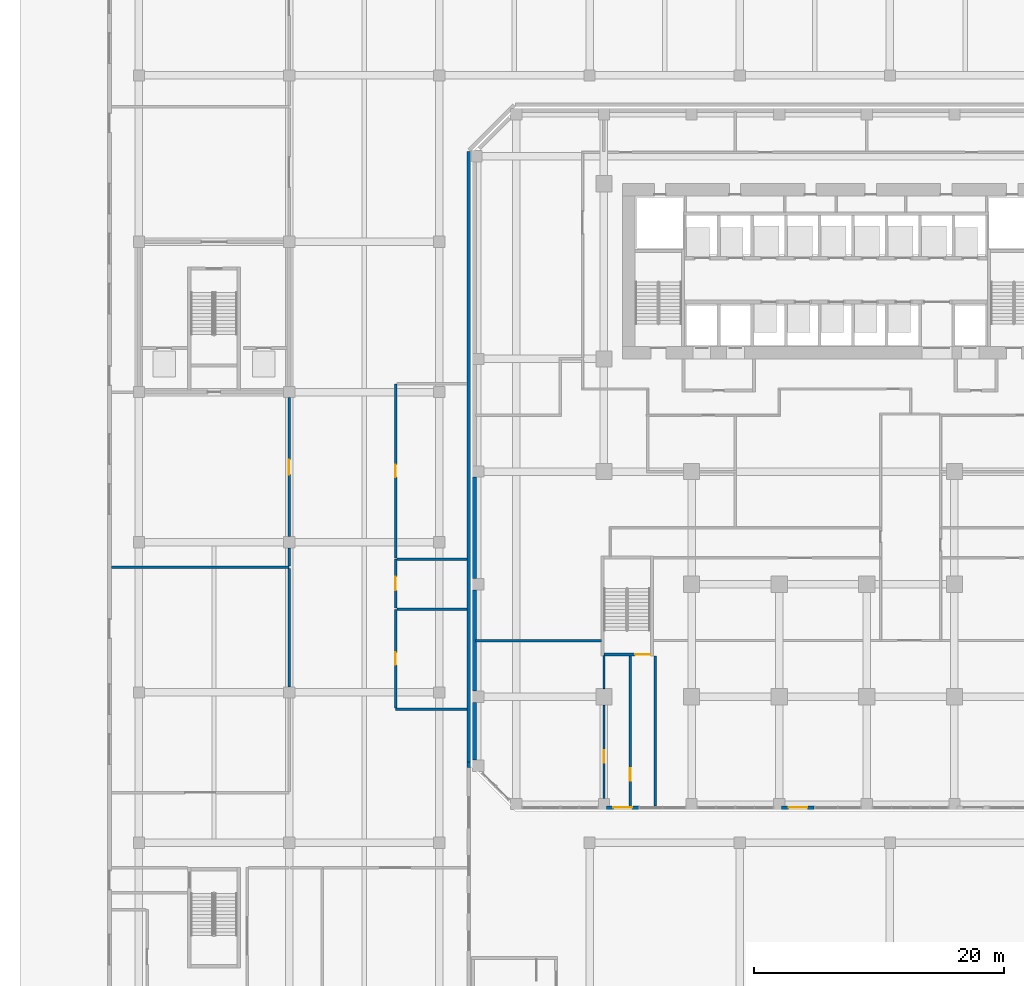
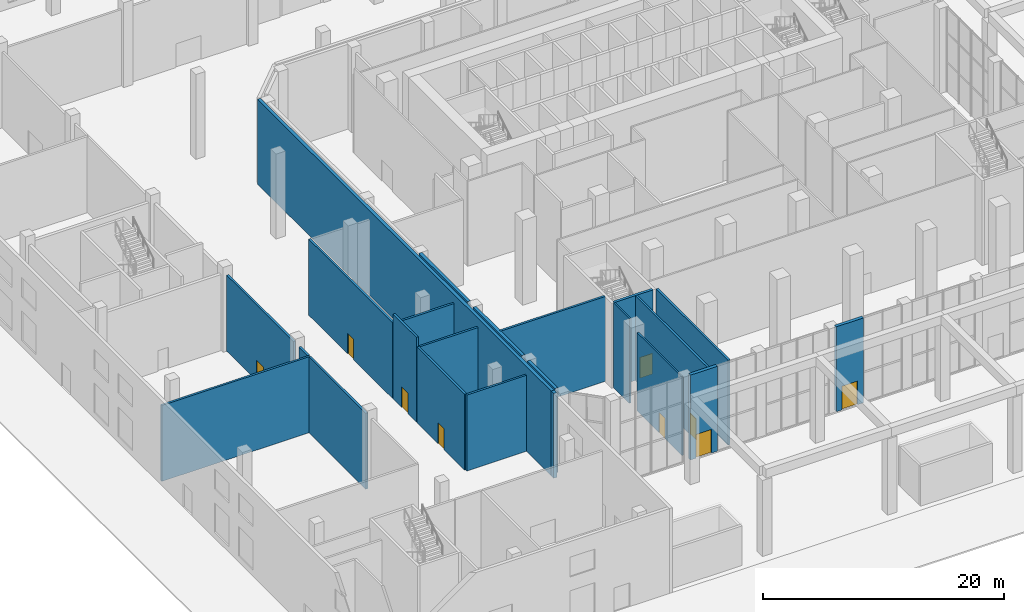
# One storey, part 19 of 43: 23 walls, 9 doors, 9 openings.
"""IFC4 building model written with IfcOpenShell, lengths in metres."""

from ifc_helpers import new_model, si_unit, direction, frame, frame_2d, origin, place, context, subcontext, project, spatial, rectangle, extrude, source, transform, mapped, material, layer, layer_set, type_object, element, fill, save


model = new_model("IFC4")

# Units and contexts
model_context = context("Model", 3, precision=1e-05, world=origin(), true_north=direction((0.0, 1.0)))
body_context = subcontext(model_context, "Body", "Model", "MODEL_VIEW")
ifc_project = project(units=[si_unit("LENGTHUNIT", "METRE"), si_unit("AREAUNIT", "SQUARE_METRE"), si_unit("VOLUMEUNIT", "CUBIC_METRE"), si_unit("PLANEANGLEUNIT", "RADIAN"), si_unit("MASSUNIT", "GRAM", prefix="KILO")], contexts=[model_context])

# Site, building, storey
site_placement = place(None, origin())
site = spatial("IfcSite", under=ifc_project, at=site_placement, CompositionType="ELEMENT")
building_placement = place(site_placement, origin())
building = spatial("IfcBuilding", under=site, at=building_placement, Name="Kilnfold Tower and Market Hall", CompositionType="ELEMENT")
storey_placement = place(building_placement, origin())
storey = spatial("IfcBuildingStorey", under=building, at=storey_placement, Name="L00", CompositionType="ELEMENT", Elevation=0.0)

# Wall, opening, door
ifc_material_1 = material(Name="Gypsum board on steel studs", Category="steel")
ifc_layer_1 = layer(ifc_material_1, 0.14990234375)
ifc_layer_set_1 = layer_set([ifc_layer_1], Name="Gypsum board on steel studs")
wall_type_1 = type_object("IfcWallType", Name="WALL CORRIDOR 150", PredefinedType="PARTITIONING", material=ifc_layer_set_1)
wall_1_placement = place(storey_placement, frame((-17.5, -27.10009765625, 0.0), z_axis=(0.0, 0.0, 1.0), x_axis=(0.0, 1.0, 0.0)))
wall_1 = element("IfcWall", 1, at=wall_1_placement, inside=storey, type_object=wall_type_1, Name="Partition LY01.3", PredefinedType="PARTITIONING", context=body_context, shape_type="SweptSolid", body=[
    extrude(rectangle(XDim=7.4501953125, YDim=0.14990234375, at=frame_2d((3.72509765625, 0.0))), origin(), (0.0, 0.0, 1.0), 7.949951171875),
])
opening_1_placement = place(wall_1_placement, frame((2.822021484375, 0.0, 0.0)))
opening_1 = element("IfcOpeningElement", 2, at=opening_1_placement, cuts=wall_1, Name="Opening D4", PredefinedType="OPENING", context=body_context, shape_type="SweptSolid", body=[
    extrude(rectangle(XDim=1.0, YDim=2.10009765625, at=frame_2d((0.5, 1.050048828125))), frame((0.0, 0.0849609375, 0.0), z_axis=(0.0, -1.0, 0.0), x_axis=(1.0, 0.0, 0.0)), (0.0, 0.0, 1.0), 0.169921875),
])
ifc_material_2 = material(Name="Timber veneer door leaf in steel frame", Category="steel")
door_type_1 = type_object("IfcDoorType", Name="DOOR SERVICE 1000 X2100", OperationType="NOTDEFINED", PredefinedType="DOOR", material=ifc_material_2)
door_1_placement = place(opening_1_placement, origin())
door_1 = element("IfcDoor", 3, at=door_1_placement, inside=storey, type_object=door_type_1, Name="Door D4", OperationType="SINGLE_SWING_LEFT", OverallHeight=2.10009765625, OverallWidth=1.0, PredefinedType="DOOR", context=body_context, shape_type="SweptSolid", body=[
    extrude(rectangle(XDim=1.0, YDim=2.10009765625, at=frame_2d((0.5, 1.050048828125))), frame((0.0, 0.02490234375, 0.0), z_axis=(0.0, -1.0, 0.0), x_axis=(1.0, 0.0, 0.0)), (0.0, 0.0, 1.0), 0.050048828125),
])
fill(opening_1, door_1)

# Walls
wall_2_placement = place(storey_placement, frame((-17.5, -18.35009765625, 0.0), z_axis=(0.0, 0.0, 1.0), x_axis=(0.0, 1.0, 0.0)))
element("IfcWall", 4, at=wall_2_placement, inside=storey, type_object=wall_type_1, Name="Partition LY01.4", PredefinedType="PARTITIONING", context=body_context, shape_type="SweptSolid", body=[
    extrude(rectangle(XDim=2.650146484375, YDim=0.14990234375, at=frame_2d((1.3251953125, 0.0))), origin(), (0.0, 0.0, 1.0), 8.60009765625),
])
ifc_material_3 = material(Name="Gypsum board on steel studs", Category="steel")
ifc_layer_2 = layer(ifc_material_3, 0.199951171875)
ifc_layer_set_2 = layer_set([ifc_layer_2], Name="Gypsum board on steel studs")
wall_type_2 = type_object("IfcWallType", Name="WALL PARTY 200", PredefinedType="PARTITIONING", material=ifc_layer_set_2)
wall_3_placement = place(storey_placement, frame((-17.699951171875, -14.5, 0.0), z_axis=(0.0, 0.0, 1.0), x_axis=(-1.0, 0.0, 0.0)))
element("IfcWall", 5, at=wall_3_placement, inside=storey, type_object=wall_type_2, Name="Partition LY01.36", PredefinedType="PARTITIONING", context=body_context, shape_type="SweptSolid", body=[
    extrude(rectangle(XDim=10.050048828125, YDim=0.199951171875, at=frame_2d((5.02490234375, 0.0))), origin(), (0.0, 0.0, 1.0), 8.60009765625),
])

# Wall, opening, door
ifc_material_4 = material(Name="Concrete C80", Category="concrete")
ifc_layer_3 = layer(ifc_material_4, 0.25)
ifc_layer_set_3 = layer_set([ifc_layer_3], Name="Concrete C80")
wall_type_3 = type_object("IfcWallType", Name="CORE WALL 250 C80", PredefinedType="SHEAR", material=ifc_layer_set_3)
shared_shape_1 = source(origin(), body_context, "Body", "SweptSolid", [
    extrude(rectangle(XDim=3.699951171875, YDim=0.25, at=frame_2d((1.85009765625, 0.0))), origin(), (0.0, 0.0, 1.0), 8.60009765625),
])
wall_4_placement = place(storey_placement, frame((-17.5, -15.625, 0.0), z_axis=(0.0, 0.0, 1.0), x_axis=(1.0, 0.0, 0.0)))
wall_4 = element("IfcWall", 6, at=wall_4_placement, inside=storey, type_object=wall_type_3, Name="Stair enclosure ST3", PredefinedType="SHEAR", context=body_context, shape_type="MappedRepresentation", body=[
    mapped(shared_shape_1, transform((0.0, 0.0, 0.0))),
])
opening_2_placement = place(wall_4_placement, frame((2.5, 0.0, 0.0)))
opening_2 = element("IfcOpeningElement", 7, at=opening_2_placement, cuts=wall_4, Name="Opening SD1", PredefinedType="OPENING", context=body_context, shape_type="SweptSolid", body=[
    extrude(rectangle(XDim=1.199951171875, YDim=2.10009765625, at=frame_2d((0.60009765625, 1.050048828125))), frame((0.0, 0.135009765625, 0.0), z_axis=(0.0, -1.0, 0.0), x_axis=(1.0, 0.0, 0.0)), (0.0, 0.0, 1.0), 0.27001953125),
])
ifc_material_5 = material(Name="Steel door set with fire-resisting leaf", Category="steel")
door_type_2 = type_object("IfcDoorType", Name="STAIR FLOOR DOOR 1200X2100", OperationType="NOTDEFINED", PredefinedType="DOOR", material=ifc_material_5)
door_2_placement = place(opening_2_placement, origin())
door_2 = element("IfcDoor", 8, at=door_2_placement, inside=storey, type_object=door_type_2, Name="Exit stair ST3 door", OperationType="DOUBLE_DOOR_SINGLE_SWING", OverallHeight=2.10009765625, OverallWidth=1.199951171875, PredefinedType="DOOR", context=body_context, shape_type="SweptSolid", body=[
    extrude(rectangle(XDim=1.199951171875, YDim=2.10009765625, at=frame_2d((0.60009765625, 1.050048828125))), frame((0.0, 0.02490234375, 0.0), z_axis=(0.0, -1.0, 0.0), x_axis=(1.0, 0.0, 0.0)), (0.0, 0.0, 1.0), 0.050048828125),
])
fill(opening_2, door_2)

ifc_material_6 = material(Name="Concrete C80", Category="concrete")
ifc_layer_4 = layer(ifc_material_6, 0.199951171875)
ifc_layer_set_4 = layer_set([ifc_layer_4], Name="Concrete C80")
wall_type_4 = type_object("IfcWallType", Name="CORE WALL 200 C80", PredefinedType="SHEAR", material=ifc_layer_set_4)
shared_shape_2 = source(origin(), body_context, "Body", "SweptSolid", [
    extrude(rectangle(XDim=11.949951171875, YDim=0.199951171875, at=frame_2d((5.97509765625, 0.0))), origin(), (0.0, 0.0, 1.0), 8.60009765625),
])
wall_5_placement = place(storey_placement, frame((-15.39990234375, -15.75, 0.0), z_axis=(0.0, 0.0, 1.0), x_axis=(0.0, -1.0, 0.0)))
wall_5 = element("IfcWall", 9, at=wall_5_placement, inside=storey, type_object=wall_type_4, Name="Exit passage ST3", PredefinedType="SHEAR", context=body_context, shape_type="MappedRepresentation", body=[
    mapped(shared_shape_2, transform((0.0, 0.0, 0.0))),
])
opening_3_placement = place(wall_5_placement, frame((8.949951171875, 0.0, 0.0)))
opening_3 = element("IfcOpeningElement", 10, at=opening_3_placement, cuts=wall_5, Name="Opening SD2", PredefinedType="OPENING", context=body_context, shape_type="SweptSolid", body=[
    extrude(rectangle(XDim=1.0, YDim=2.10009765625, at=frame_2d((0.5, 1.050048828125))), frame((0.0, 0.10986328125, 0.0), z_axis=(0.0, -1.0, 0.0), x_axis=(1.0, 0.0, 0.0)), (0.0, 0.0, 1.0), 0.219970703125),
])
ifc_material_7 = material(Name="Steel door set with fire-resisting leaf", Category="steel")
door_type_3 = type_object("IfcDoorType", Name="EXIT PASSAGE DOOR 1000X2100", OperationType="NOTDEFINED", PredefinedType="DOOR", material=ifc_material_7)
door_3_placement = place(opening_3_placement, origin())
door_3 = element("IfcDoor", 11, at=door_3_placement, inside=storey, type_object=door_type_3, Name="Exit passage ST3 door to the entrance lobby", OperationType="SINGLE_SWING_LEFT", OverallHeight=2.10009765625, OverallWidth=1.0, PredefinedType="DOOR", context=body_context, shape_type="SweptSolid", body=[
    extrude(rectangle(XDim=1.0, YDim=2.10009765625, at=frame_2d((0.5, 1.050048828125))), frame((0.0, 0.02490234375, 0.0), z_axis=(0.0, -1.0, 0.0), x_axis=(1.0, 0.0, 0.0)), (0.0, 0.0, 1.0), 0.050048828125),
])
fill(opening_3, door_3)

# Wall
wall_6_placement = place(storey_placement, frame((-13.39990234375, -15.75, 0.0), z_axis=(0.0, 0.0, 1.0), x_axis=(0.0, -1.0, 0.0)))
element("IfcWall", 12, at=wall_6_placement, inside=storey, type_object=wall_type_4, Name="Exit passage ST3", PredefinedType="SHEAR", context=body_context, shape_type="MappedRepresentation", body=[
    mapped(shared_shape_2, transform((0.0, 0.0, 0.0))),
])

# Wall, opening, door
ifc_material_8 = material(Name="Precast concrete C50/60", Category="concrete")
ifc_layer_5 = layer(ifc_material_8, 0.300048828125)
ifc_layer_set_5 = layer_set([ifc_layer_5], Name="Precast concrete C50/60")
wall_type_5 = type_object("IfcWallType", Name="PRECAST WALL 300", PredefinedType="SOLIDWALL", material=ifc_layer_set_5)
shared_shape_3 = source(origin(), body_context, "Body", "SweptSolid", [
    extrude(rectangle(XDim=2.60009765625, YDim=0.300048828125, at=frame_2d((1.300048828125, 0.0))), origin(), (0.0, 0.0, 1.0), 8.60009765625),
])
wall_7_placement = place(storey_placement, frame((-14.699951171875, -27.85009765625, 0.0), z_axis=(0.0, 0.0, 1.0), x_axis=(-1.0, 0.0, 0.0)))
wall_7 = element("IfcWall", 13, at=wall_7_placement, inside=storey, type_object=wall_type_5, Name="Entrance wall L00 S", PredefinedType="SOLIDWALL", context=body_context, shape_type="MappedRepresentation", body=[
    mapped(shared_shape_3, transform((0.0, 0.0, 0.0))),
])
opening_4_placement = place(wall_7_placement, frame((0.550048828125, 0.0, 0.0)))
opening_4 = element("IfcOpeningElement", 14, at=opening_4_placement, cuts=wall_7, Name="Opening TD1", PredefinedType="OPENING", context=body_context, shape_type="SweptSolid", body=[
    extrude(rectangle(XDim=1.5, YDim=2.39990234375, at=frame_2d((0.75, 1.199951171875))), frame((0.0, 0.16015625, 0.0), z_axis=(0.0, -1.0, 0.0), x_axis=(1.0, 0.0, 0.0)), (0.0, 0.0, 1.0), 0.320068359375),
])
ifc_material_9 = material(Name="Aluminium frame and toughened glass", Category="aluminium")
door_type_4 = type_object("IfcDoorType", Name="ENTRANCE DOOR 1500X2400", OperationType="NOTDEFINED", PredefinedType="DOOR", material=ifc_material_9)
door_4_placement = place(opening_4_placement, origin())
door_4 = element("IfcDoor", 15, at=door_4_placement, inside=storey, type_object=door_type_4, Name="Entrance door TE1", OperationType="DOUBLE_DOOR_SINGLE_SWING", OverallHeight=2.39990234375, OverallWidth=1.5, PredefinedType="DOOR", context=body_context, shape_type="SweptSolid", body=[
    extrude(rectangle(XDim=1.5, YDim=2.39990234375, at=frame_2d((0.75, 1.199951171875))), frame((0.0, 0.02490234375, 0.0), z_axis=(0.0, -1.0, 0.0), x_axis=(1.0, 0.0, 0.0)), (0.0, 0.0, 1.0), 0.050048828125),
])
fill(opening_4, door_4)

wall_8_placement = place(storey_placement, frame((-0.699951171875, -27.85009765625, 0.0), z_axis=(0.0, 0.0, 1.0), x_axis=(-1.0, 0.0, 0.0)))
wall_8 = element("IfcWall", 16, at=wall_8_placement, inside=storey, type_object=wall_type_5, Name="Entrance wall L00 S", PredefinedType="SOLIDWALL", context=body_context, shape_type="MappedRepresentation", body=[
    mapped(shared_shape_3, transform((0.0, 0.0, 0.0))),
])
opening_5_placement = place(wall_8_placement, frame((0.550048828125, 0.0, 0.0)))
opening_5 = element("IfcOpeningElement", 17, at=opening_5_placement, cuts=wall_8, Name="Opening TD1", PredefinedType="OPENING", context=body_context, shape_type="SweptSolid", body=[
    extrude(rectangle(XDim=1.5, YDim=2.39990234375, at=frame_2d((0.75, 1.199951171875))), frame((0.0, 0.16015625, 0.0), z_axis=(0.0, -1.0, 0.0), x_axis=(1.0, 0.0, 0.0)), (0.0, 0.0, 1.0), 0.320068359375),
])
door_5_placement = place(opening_5_placement, origin())
door_5 = element("IfcDoor", 18, at=door_5_placement, inside=storey, type_object=door_type_4, Name="Entrance door TE2", OperationType="DOUBLE_DOOR_SINGLE_SWING", OverallHeight=2.39990234375, OverallWidth=1.5, PredefinedType="DOOR", context=body_context, shape_type="SweptSolid", body=[
    extrude(rectangle(XDim=1.5, YDim=2.39990234375, at=frame_2d((0.75, 1.199951171875))), frame((0.0, 0.02490234375, 0.0), z_axis=(0.0, -1.0, 0.0), x_axis=(1.0, 0.0, 0.0)), (0.0, 0.0, 1.0), 0.050048828125),
])
fill(opening_5, door_5)

# Walls
shared_shape_4 = source(origin(), body_context, "Body", "SweptSolid", [
    extrude(rectangle(XDim=8.10009765625, YDim=0.300048828125, at=frame_2d((4.050048828125, 0.0))), origin(), (0.0, 0.0, 1.0), 8.60009765625),
])
for number, where, z_axis, x_axis, name in (
    (19, (-27.85009765625, -1.449951171875, 0.0), (0.0, 0.0, 1.0), (0.0, -1.0, 0.0), "Party wall L00 W"),
    (20, (-27.85009765625, -10.449951171875, 0.0), (0.0, 0.0, 1.0), (0.0, -1.0, 0.0), "Party wall L00 W"),
):
    element("IfcWall", number, at=place(storey_placement, frame(where, z_axis=z_axis, x_axis=x_axis)), inside=storey, type_object=wall_type_5, Name=name, PredefinedType="SOLIDWALL", context=body_context, shape_type="MappedRepresentation", body=[
        mapped(shared_shape_4, transform((0.0, 0.0, 0.0))),
    ])
shared_shape_5 = source(origin(), body_context, "Body", "SweptSolid", [
    extrude(rectangle(XDim=4.60009765625, YDim=0.300048828125, at=frame_2d((2.300048828125, 0.0))), origin(), (0.0, 0.0, 1.0), 8.60009765625),
])
wall_9_placement = place(storey_placement, frame((-27.85009765625, -19.449951171875, 0.0), z_axis=(0.0, 0.0, 1.0), x_axis=(0.0, -1.0, 0.0)))
element("IfcWall", 21, at=wall_9_placement, inside=storey, type_object=wall_type_5, Name="Party wall L00 W", PredefinedType="SOLIDWALL", context=body_context, shape_type="MappedRepresentation", body=[
    mapped(shared_shape_5, transform((0.0, 0.0, 0.0))),
])
ifc_material_10 = material(Name="Concrete blockwork", Category="masonry")
ifc_layer_6 = layer(ifc_material_10, 0.300048828125)
ifc_layer_set_6 = layer_set([ifc_layer_6], Name="Concrete blockwork")
wall_type_6 = type_object("IfcWallType", Name="HALL EXTERNAL WALL 300 EI 120", PredefinedType="SOLIDWALL", material=ifc_layer_set_6)
shared_shape_6 = source(origin(), body_context, "Body", "SweptSolid", [
    extrude(rectangle(XDim=0.42431640625, YDim=0.300048828125, at=frame_2d((0.212158203125, 0.0))), origin(), (0.0, 0.0, 1.0), 8.60009765625),
])
wall_10_placement = place(storey_placement, frame((-28.300048828125, -24.199951171875, 0.0), z_axis=(0.0, 0.0, 1.0), x_axis=(0.0, -1.0, 0.0)))
element("IfcWall", 22, at=wall_10_placement, inside=storey, type_object=wall_type_6, Name="Joint wall MEW-L00.9", PredefinedType="SOLIDWALL", context=body_context, shape_type="MappedRepresentation", body=[
    mapped(shared_shape_6, transform((0.0, 0.0, 0.0))),
])
shared_shape_7 = source(origin(), body_context, "Body", "SweptSolid", [
    extrude(rectangle(XDim=48.761962890625, YDim=0.300048828125, at=frame_2d((24.380859375, 0.0))), origin(), (0.0, 0.0, 1.0), 8.60009765625),
])
wall_11_placement = place(storey_placement, frame((-28.300048828125, 24.56201171875, 0.0), z_axis=(0.0, 0.0, 1.0), x_axis=(0.0, -1.0, 0.0)))
element("IfcWall", 23, at=wall_11_placement, inside=storey, type_object=wall_type_6, Name="Joint wall MEW-L00.8", PredefinedType="SOLIDWALL", context=body_context, shape_type="MappedRepresentation", body=[
    mapped(shared_shape_7, transform((0.0, 0.0, 0.0))),
])
ifc_material_11 = material(Name="Concrete blockwork", Category="masonry")
ifc_layer_7 = layer(ifc_material_11, 0.199951171875)
ifc_layer_set_7 = layer_set([ifc_layer_7], Name="Concrete blockwork")
wall_type_7 = type_object("IfcWallType", Name="HALL PARTITION 200 EI 120", PredefinedType="PARTITIONING", material=ifc_layer_set_7)
shared_shape_8 = source(origin(), body_context, "Body", "SweptSolid", [
    extrude(rectangle(XDim=14.2001953125, YDim=0.199951171875, at=frame_2d((7.10009765625, 0.0))), origin(), (0.0, 0.0, 1.0), 7.699951171875),
])
wall_12_placement = place(storey_placement, frame((-56.85009765625, -8.64990234375, 0.0), z_axis=(0.0, 0.0, 1.0), x_axis=(1.0, 0.0, 0.0)))
element("IfcWall", 24, at=wall_12_placement, inside=storey, type_object=wall_type_7, Name="Partition W-MH-L00.3", PredefinedType="PARTITIONING", context=body_context, shape_type="MappedRepresentation", body=[
    mapped(shared_shape_8, transform((0.0, 0.0, 0.0))),
])
ifc_material_12 = material(Name="Concrete blockwork", Category="masonry")
ifc_layer_8 = layer(ifc_material_12, 0.199951171875)
ifc_layer_set_8 = layer_set([ifc_layer_8], Name="Concrete blockwork")
wall_type_8 = type_object("IfcWallType", Name="HALL PARTITION 200 EI 60", PredefinedType="PARTITIONING", material=ifc_layer_set_8)
shared_shape_9 = source(origin(), body_context, "Body", "SweptSolid", [
    extrude(rectangle(XDim=9.449951171875, YDim=0.199951171875, at=frame_2d((4.72509765625, 0.0))), origin(), (0.0, 0.0, 1.0), 7.699951171875),
])
wall_13_placement = place(storey_placement, frame((-42.64990234375, -18.199951171875, 0.0), z_axis=(0.0, 0.0, 1.0), x_axis=(0.0, 1.0, 0.0)))
element("IfcWall", 25, at=wall_13_placement, inside=storey, type_object=wall_type_8, Name="Partition W-MH-L00.12", PredefinedType="PARTITIONING", context=body_context, shape_type="MappedRepresentation", body=[
    mapped(shared_shape_9, transform((0.0, 0.0, 0.0))),
])
shared_shape_10 = source(origin(), body_context, "Body", "SweptSolid", [
    extrude(rectangle(XDim=1.449951171875, YDim=0.199951171875, at=frame_2d((0.72509765625, 0.0))), origin(), (0.0, 0.0, 1.0), 7.699951171875),
])
wall_14_placement = place(storey_placement, frame((-42.64990234375, -8.550048828125, 0.0), z_axis=(0.0, 0.0, 1.0), x_axis=(0.0, 1.0, 0.0)))
element("IfcWall", 26, at=wall_14_placement, inside=storey, type_object=wall_type_7, Name="Partition W-MH-L00.13", PredefinedType="PARTITIONING", context=body_context, shape_type="MappedRepresentation", body=[
    mapped(shared_shape_10, transform((0.0, 0.0, 0.0))),
])

# Wall, opening, door
shared_shape_11 = source(origin(), body_context, "Body", "SweptSolid", [
    extrude(rectangle(XDim=11.099853515625, YDim=0.199951171875, at=frame_2d((5.5498046875, 0.0))), origin(), (0.0, 0.0, 1.0), 7.699951171875),
])
wall_15_placement = place(storey_placement, frame((-42.64990234375, -6.199951171875, 0.0), z_axis=(0.0, 0.0, 1.0), x_axis=(0.0, 1.0, 0.0)))
wall_15 = element("IfcWall", 27, at=wall_15_placement, inside=storey, type_object=wall_type_7, Name="Partition W-MH-L00.14", PredefinedType="PARTITIONING", context=body_context, shape_type="MappedRepresentation", body=[
    mapped(shared_shape_11, transform((0.0, 0.0, 0.0))),
])
opening_6_placement = place(wall_15_placement, frame((4.949951171875, 0.0, 0.0)))
opening_6 = element("IfcOpeningElement", 28, at=opening_6_placement, cuts=wall_15, Name="Opening MD3-120", PredefinedType="OPENING", context=body_context, shape_type="SweptSolid", body=[
    extrude(rectangle(XDim=1.199951171875, YDim=2.10009765625, at=frame_2d((0.60009765625, 1.050048828125))), frame((0.0, 0.10986328125, 0.0), z_axis=(0.0, -1.0, 0.0), x_axis=(1.0, 0.0, 0.0)), (0.0, 0.0, 1.0), 0.219970703125),
])
ifc_material_13 = material(Name="Steel S355", Category="steel")
door_type_5 = type_object("IfcDoorType", Name="HALL DOOR SERVICE 1200X2100 FD120", OperationType="NOTDEFINED", PredefinedType="DOOR", material=ifc_material_13)
door_6_placement = place(opening_6_placement, origin())
door_6 = element("IfcDoor", 29, at=door_6_placement, inside=storey, type_object=door_type_5, Name="Door MD3-120", OperationType="SINGLE_SWING_LEFT", OverallHeight=2.10009765625, OverallWidth=1.199951171875, PredefinedType="DOOR", context=body_context, shape_type="SweptSolid", body=[
    extrude(rectangle(XDim=1.199951171875, YDim=2.10009765625, at=frame_2d((0.60009765625, 1.050048828125))), frame((0.0, 0.02490234375, 0.0), z_axis=(0.0, -1.0, 0.0), x_axis=(1.0, 0.0, 0.0)), (0.0, 0.0, 1.0), 0.050048828125),
])
fill(opening_6, door_6)

# Wall
shared_shape_12 = source(origin(), body_context, "Body", "SweptSolid", [
    extrude(rectangle(XDim=5.699951171875, YDim=0.199951171875, at=frame_2d((2.85009765625, 0.0))), origin(), (0.0, 0.0, 1.0), 7.699951171875),
])
wall_16_placement = place(storey_placement, frame((-34.14990234375, -20.0, 0.0), z_axis=(0.0, 0.0, 1.0), x_axis=(1.0, 0.0, 0.0)))
element("IfcWall", 30, at=wall_16_placement, inside=storey, type_object=wall_type_8, Name="Partition W-MH-L00.22", PredefinedType="PARTITIONING", context=body_context, shape_type="MappedRepresentation", body=[
    mapped(shared_shape_12, transform((0.0, 0.0, 0.0))),
])

# Wall, opening, door
shared_shape_13 = source(origin(), body_context, "Body", "SweptSolid", [
    extrude(rectangle(XDim=7.89990234375, YDim=0.199951171875, at=frame_2d((3.949951171875, 0.0))), origin(), (0.0, 0.0, 1.0), 7.699951171875),
])
wall_17_placement = place(storey_placement, frame((-34.14990234375, -12.0, 0.0), z_axis=(0.0, 0.0, 1.0), x_axis=(0.0, -1.0, 0.0)))
wall_17 = element("IfcWall", 31, at=wall_17_placement, inside=storey, type_object=wall_type_8, Name="Partition W-MH-L00.23", PredefinedType="PARTITIONING", context=body_context, shape_type="MappedRepresentation", body=[
    mapped(shared_shape_13, transform((0.0, 0.0, 0.0))),
])
opening_7_placement = place(wall_17_placement, frame((3.449951171875, 0.0, 0.0)))
opening_7 = element("IfcOpeningElement", 32, at=opening_7_placement, cuts=wall_17, Name="Opening MD6-60", PredefinedType="OPENING", context=body_context, shape_type="SweptSolid", body=[
    extrude(rectangle(XDim=1.0, YDim=2.10009765625, at=frame_2d((0.5, 1.050048828125))), frame((0.0, 0.10986328125, 0.0), z_axis=(0.0, -1.0, 0.0), x_axis=(1.0, 0.0, 0.0)), (0.0, 0.0, 1.0), 0.219970703125),
])
ifc_material_14 = material(Name="Timber", Category="wood")
door_type_6 = type_object("IfcDoorType", Name="HALL DOOR WC 1000X2100 FD60", OperationType="NOTDEFINED", PredefinedType="DOOR", material=ifc_material_14)
door_7_placement = place(opening_7_placement, origin())
door_7 = element("IfcDoor", 33, at=door_7_placement, inside=storey, type_object=door_type_6, Name="Door MD6-60", OperationType="SINGLE_SWING_RIGHT", OverallHeight=2.10009765625, OverallWidth=1.0, PredefinedType="DOOR", context=body_context, shape_type="SweptSolid", body=[
    extrude(rectangle(XDim=1.0, YDim=2.10009765625, at=frame_2d((0.5, 1.050048828125))), frame((0.0, 0.02490234375, 0.0), z_axis=(0.0, -1.0, 0.0), x_axis=(1.0, 0.0, 0.0)), (0.0, 0.0, 1.0), 0.050048828125),
])
fill(opening_7, door_7)

# Walls
shared_shape_14 = source(origin(), body_context, "Body", "SweptSolid", [
    extrude(rectangle(XDim=5.60009765625, YDim=0.199951171875, at=frame_2d((2.800048828125, 0.0))), origin(), (0.0, 0.0, 1.0), 7.699951171875),
])
for number, where, z_axis, x_axis, name in (
    (34, (-34.050048828125, -12.0, 0.0), (0.0, 0.0, 1.0), (1.0, 0.0, 0.0), "Partition W-MH-L00.24"),
    (35, (-34.050048828125, -8.0, 0.0), (0.0, 0.0, 1.0), (1.0, 0.0, 0.0), "Partition W-MH-L00.26"),
):
    element("IfcWall", number, at=place(storey_placement, frame(where, z_axis=z_axis, x_axis=x_axis)), inside=storey, type_object=wall_type_8, Name=name, PredefinedType="PARTITIONING", context=body_context, shape_type="MappedRepresentation", body=[
        mapped(shared_shape_14, transform((0.0, 0.0, 0.0))),
    ])

# Wall, opening, door
shared_shape_15 = source(origin(), body_context, "Body", "SweptSolid", [
    extrude(rectangle(XDim=3.89990234375, YDim=0.199951171875, at=frame_2d((1.949951171875, 0.0))), origin(), (0.0, 0.0, 1.0), 8.60009765625),
])
wall_18_placement = place(storey_placement, frame((-34.14990234375, -8.0, 0.0), z_axis=(0.0, 0.0, 1.0), x_axis=(0.0, -1.0, 0.0)))
wall_18 = element("IfcWall", 36, at=wall_18_placement, inside=storey, type_object=wall_type_8, Name="Partition W-MH-L00.25", PredefinedType="PARTITIONING", context=body_context, shape_type="MappedRepresentation", body=[
    mapped(shared_shape_15, transform((0.0, 0.0, 0.0))),
])
opening_8_placement = place(wall_18_placement, frame((1.39990234375, 0.0, 0.0)))
opening_8 = element("IfcOpeningElement", 37, at=opening_8_placement, cuts=wall_18, Name="Opening MD2-60", PredefinedType="OPENING", context=body_context, shape_type="SweptSolid", body=[
    extrude(rectangle(XDim=1.10009765625, YDim=2.10009765625, at=frame_2d((0.550048828125, 1.050048828125))), frame((0.0, 0.10986328125, 0.0), z_axis=(0.0, -1.0, 0.0), x_axis=(1.0, 0.0, 0.0)), (0.0, 0.0, 1.0), 0.219970703125),
])
ifc_material_15 = material(Name="Timber", Category="wood")
door_type_7 = type_object("IfcDoorType", Name="HALL DOOR AWC 1100X2100 FD60", OperationType="NOTDEFINED", PredefinedType="DOOR", material=ifc_material_15)
door_8_placement = place(opening_8_placement, origin())
door_8 = element("IfcDoor", 38, at=door_8_placement, inside=storey, type_object=door_type_7, Name="Door MD2-60", OperationType="SINGLE_SWING_LEFT", OverallHeight=2.10009765625, OverallWidth=1.10009765625, PredefinedType="DOOR", context=body_context, shape_type="SweptSolid", body=[
    extrude(rectangle(XDim=1.10009765625, YDim=2.10009765625, at=frame_2d((0.550048828125, 1.050048828125))), frame((0.0, 0.02490234375, 0.0), z_axis=(0.0, -1.0, 0.0), x_axis=(1.0, 0.0, 0.0)), (0.0, 0.0, 1.0), 0.050048828125),
])
fill(opening_8, door_8)

shared_shape_16 = source(origin(), body_context, "Body", "SweptSolid", [
    extrude(rectangle(XDim=13.89990234375, YDim=0.199951171875, at=frame_2d((6.949951171875, 0.0))), origin(), (0.0, 0.0, 1.0), 7.699951171875),
])
wall_19_placement = place(storey_placement, frame((-34.14990234375, 6.0, 0.0), z_axis=(0.0, 0.0, 1.0), x_axis=(0.0, -1.0, 0.0)))
wall_19 = element("IfcWall", 39, at=wall_19_placement, inside=storey, type_object=wall_type_8, Name="Partition W-MH-L00.27", PredefinedType="PARTITIONING", context=body_context, shape_type="MappedRepresentation", body=[
    mapped(shared_shape_16, transform((0.0, 0.0, 0.0))),
])
opening_9_placement = place(wall_19_placement, frame((6.449951171875, 0.0, 0.0)))
opening_9 = element("IfcOpeningElement", 40, at=opening_9_placement, cuts=wall_19, Name="Opening MD5-60", PredefinedType="OPENING", context=body_context, shape_type="SweptSolid", body=[
    extrude(rectangle(XDim=1.0, YDim=2.10009765625, at=frame_2d((0.5, 1.050048828125))), frame((0.0, 0.10986328125, 0.0), z_axis=(0.0, -1.0, 0.0), x_axis=(1.0, 0.0, 0.0)), (0.0, 0.0, 1.0), 0.219970703125),
])
ifc_material_16 = material(Name="Timber", Category="wood")
door_type_8 = type_object("IfcDoorType", Name="HALL DOOR OFFICE 1000X2100 FD60", OperationType="NOTDEFINED", PredefinedType="DOOR", material=ifc_material_16)
door_9_placement = place(opening_9_placement, origin())
door_9 = element("IfcDoor", 41, at=door_9_placement, inside=storey, type_object=door_type_8, Name="Door MD5-60", OperationType="SINGLE_SWING_RIGHT", OverallHeight=2.10009765625, OverallWidth=1.0, PredefinedType="DOOR", context=body_context, shape_type="SweptSolid", body=[
    extrude(rectangle(XDim=1.0, YDim=2.10009765625, at=frame_2d((0.5, 1.050048828125))), frame((0.0, 0.02490234375, 0.0), z_axis=(0.0, -1.0, 0.0), x_axis=(1.0, 0.0, 0.0)), (0.0, 0.0, 1.0), 0.050048828125),
])
fill(opening_9, door_9)

save(model, "model.ifc")
